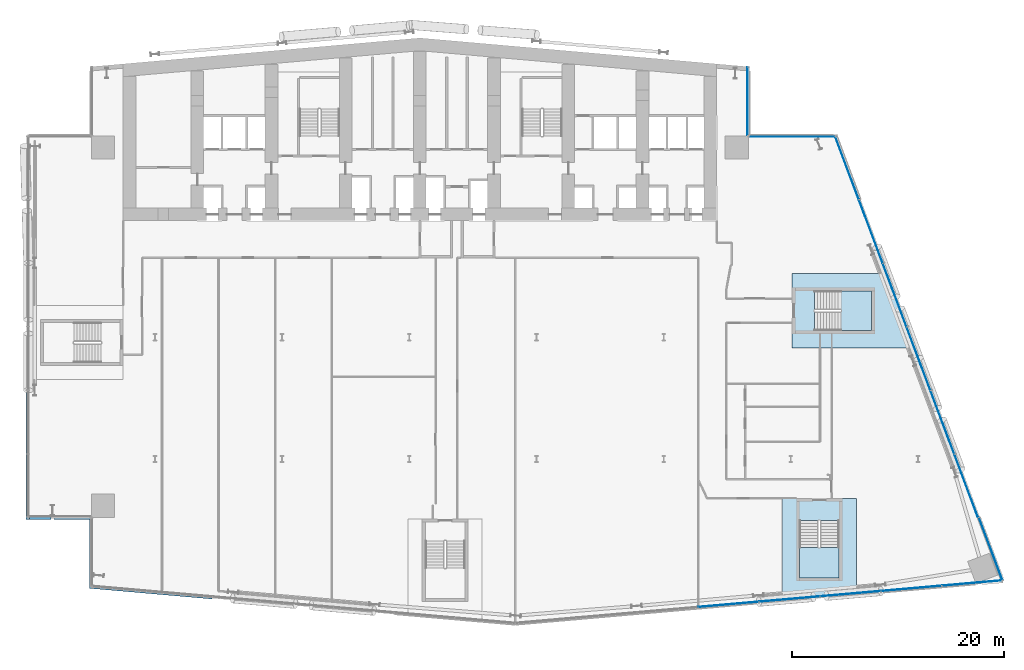
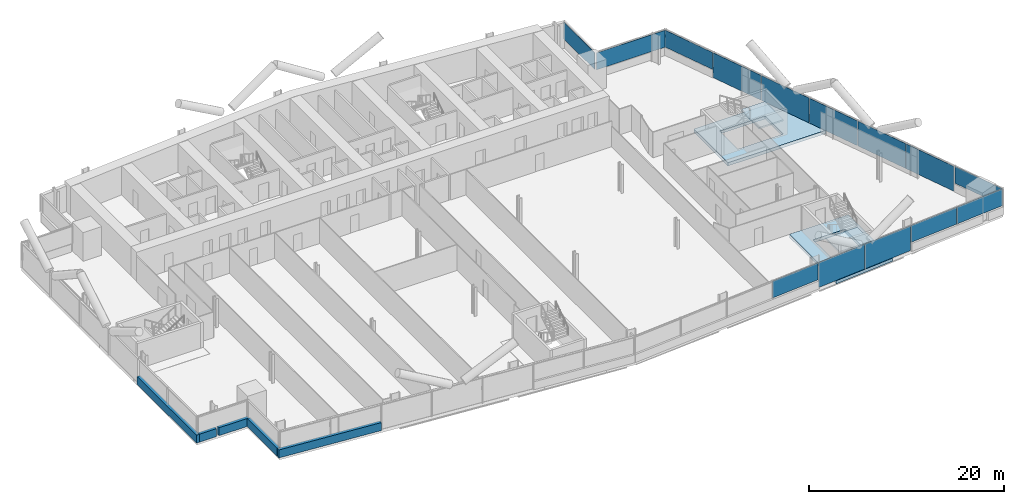
# One storey, part 12 of 25: 14 plates, 5 walls, 4 slabs, 6 elements without a shape of their own.
"""IFC4 building model written with IfcOpenShell, lengths in metres."""

import ifcopenshell
import ifcopenshell.guid

model = None  # the IFC model being written
_history = None  # IfcOwnerHistory: only IFC2X3 demands one
_inside = {}  # id of a spatial element -> (the spatial element, [elements in it])
_under = {}  # id of a project, library or spatial element -> (it, [spatial elements below it])
_declared = {}  # id of a project -> (the project, [libraries it declares])
_typed = {}  # id of a type object -> (the type object, [elements of that type])
_made_of = {}  # id of a material, layer set ... -> (it, [elements and type objects made of it])


def new_model(schema):
    """Start an empty IFC model of exactly this schema.

    Asked for "IFC4X3", IfcOpenShell would pick the latest addendum, in which some entities
    have other attributes; the version numbers below select the first issue.
    IFC2X3 requires an IfcOwnerHistory on every rooted entity: one is made here for all.
    """
    global model, _history
    if schema == "IFC4X3":
        model = ifcopenshell.file(schema_version=(4, 3, 0, 0))
    else:
        model = ifcopenshell.file(schema=schema)
    _inside.clear()
    _under.clear()
    _declared.clear()
    _typed.clear()
    _made_of.clear()
    _history = None
    if model.schema == "IFC2X3":
        org = make("IfcOrganization", Name="unknown")
        user = make(
            "IfcPersonAndOrganization",
            ThePerson=make("IfcPerson", FamilyName="unknown"),
            TheOrganization=org,
        )
        app = make(
            "IfcApplication",
            ApplicationDeveloper=org,
            Version="unknown",
            ApplicationFullName="unknown",
            ApplicationIdentifier="unknown",
        )
        _history = make(
            "IfcOwnerHistory",
            OwningUser=user,
            OwningApplication=app,
            ChangeAction="ADDED",
            CreationDate=0,
        )
    return model


def make(cls, **values):
    """One entity of the class cls with the attributes given. An attribute that is None is left unset."""
    return model.create_entity(
        cls, **{name: value for name, value in values.items() if value is not None}
    )


def rooted(cls, **values):
    """An entity with a GlobalId (a new one), such as an element, a storey or a relation."""
    return make(cls, GlobalId=ifcopenshell.guid.new(), OwnerHistory=_history, **values)


def si_unit(unit_type, name, prefix=None):
    """IfcSIUnit, for example si_unit("LENGTHUNIT", "METRE", prefix="MILLI")."""
    return make("IfcSIUnit", UnitType=unit_type, Prefix=prefix, Name=name)


def assignment(units):
    """IfcUnitAssignment: the units of a project."""
    return None if units is None else make("IfcUnitAssignment", Units=units)


def point(xyz):
    """IfcCartesianPoint."""
    return None if xyz is None else make("IfcCartesianPoint", Coordinates=xyz)


def direction(xyz):
    """IfcDirection."""
    return None if xyz is None else make("IfcDirection", DirectionRatios=xyz)


def frame(location, z_axis=None, x_axis=None):
    """IfcAxis2Placement3D, a coordinate frame: its origin and axes. An axis left out is left unset."""
    return make(
        "IfcAxis2Placement3D",
        Location=point(location),
        Axis=direction(z_axis),
        RefDirection=direction(x_axis),
    )


def frame_2d(location, x_axis=None):
    """IfcAxis2Placement2D, a coordinate frame in the plane: its origin and x axis."""
    return make(
        "IfcAxis2Placement2D", Location=point(location), RefDirection=direction(x_axis)
    )


def origin():
    """The frame at (0, 0, 0) with its axes left unset."""
    return frame((0.0, 0.0, 0.0))


def origin_2d():
    """The frame at (0, 0) in the plane with its x axis left unset."""
    return frame_2d((0.0, 0.0))


def place(relative_to, where):
    """IfcLocalPlacement: puts the frame where relative to a parent placement (None: the world)."""
    return make(
        "IfcLocalPlacement", PlacementRelTo=relative_to, RelativePlacement=where
    )


def context(
    kind, dimensions, precision=None, world=None, true_north=None, identifier=None
):
    """IfcGeometricRepresentationContext, for example the 3D "Model" context."""
    return make(
        "IfcGeometricRepresentationContext",
        ContextIdentifier=identifier,
        ContextType=kind,
        CoordinateSpaceDimension=dimensions,
        Precision=precision,
        WorldCoordinateSystem=world,
        TrueNorth=true_north,
    )


def subcontext(parent, identifier, kind, view, scale=None):
    """IfcGeometricRepresentationSubContext, for example "Body" below "Model"."""
    return make(
        "IfcGeometricRepresentationSubContext",
        ContextIdentifier=identifier,
        ContextType=kind,
        ParentContext=parent,
        TargetScale=scale,
        TargetView=view,
    )


def project(units=None, contexts=None):
    """IfcProject with its units and contexts."""
    return rooted(
        "IfcProject",
        Name="project",
        RepresentationContexts=contexts,
        UnitsInContext=assignment(units),
    )


def spatial(cls, under=None, at=None, **own):
    """A site, building, storey or space (cls), placed at a placement, below another one or the project."""
    s = rooted(cls, ObjectPlacement=at, **own)
    if under is not None:
        _under.setdefault(under.id(), (under, []))[1].append(s)
    return s


def polyline(points):
    """IfcPolyline through the points."""
    return make("IfcPolyline", Points=[point(p) for p in points])


def profile(cls, at=None, kind="AREA", **sizes):
    """A parametric profile (cls). Its sizes go by their IFC names, for example OverallWidth=200.0."""
    return make(cls, ProfileType=kind, Position=at, **sizes)


def rectangle(**sizes):
    """IfcRectangleProfileDef."""
    return profile("IfcRectangleProfileDef", **sizes)


def outline(outer, holes=None, kind="AREA"):
    """IfcArbitraryClosedProfileDef: a profile drawn as a closed curve; with holes, ...WithVoids."""
    if holes is None:
        return make("IfcArbitraryClosedProfileDef", ProfileType=kind, OuterCurve=outer)
    return make(
        "IfcArbitraryProfileDefWithVoids",
        ProfileType=kind,
        OuterCurve=outer,
        InnerCurves=holes,
    )


def extrude(swept, where, along, depth):
    """IfcExtrudedAreaSolid: the profile swept, set in the frame where, extruded along a direction by depth."""
    return make(
        "IfcExtrudedAreaSolid",
        SweptArea=swept,
        Position=where,
        ExtrudedDirection=direction(along),
        Depth=depth,
    )


def shape(context_of_items, identifier, shape_type, items):
    """IfcShapeRepresentation: the items that make up one representation, for example the "Body"."""
    return make(
        "IfcShapeRepresentation",
        ContextOfItems=context_of_items,
        RepresentationIdentifier=identifier,
        RepresentationType=shape_type,
        Items=items,
    )


def material(Name=None, Category=None):
    """IfcMaterial."""
    return make("IfcMaterial", Name=Name, Category=Category)


def layer(
    of_material, thickness, ventilated=None, Name=None, Category=None, Priority=None
):
    """IfcMaterialLayer: one layer of a wall or slab, of a material (None: an air gap)."""
    return make(
        "IfcMaterialLayer",
        Material=of_material,
        LayerThickness=thickness,
        IsVentilated=ventilated,
        Name=Name,
        Category=Category,
        Priority=Priority,
    )


def layer_set(layers, Name=None):
    """IfcMaterialLayerSet."""
    return make("IfcMaterialLayerSet", MaterialLayers=layers, LayerSetName=Name)


def made_of(thing, what):
    """Note that an element or type object is made of a material, layer set ...; save() writes the relation."""
    if what is not None:
        _made_of.setdefault(what.id(), (what, []))[1].append(thing)
    return thing


def type_object(cls, material=None, **own):
    """A type object (cls), such as IfcWallType, which elements share."""
    return made_of(rooted(cls, **own), material)


def element(
    cls,
    number,
    at=None,
    inside=None,
    cuts=None,
    type_object=None,
    material=None,
    context=None,
    identifier="Body",
    shape_type=None,
    held_by="IfcProductDefinitionShape",
    body=None,
    shapes=None,
    **own,
):
    """One element of the class cls, such as IfcWall. Its Tag is "e" and its number.

    at: its placement. inside: the storey or other place that contains it. cuts: it is an
    opening in that element (IfcRelVoidsElement). A single representation is given by context,
    identifier, shape_type and body (its items); several are given by shapes. held_by: the class
    of the entity that holds the representations. save() writes the other relations.
    """
    e = rooted(cls, Tag="e%d" % number, ObjectPlacement=at, **own)
    if body is not None:
        shapes = [shape(context, identifier, shape_type, body)]
    if shapes is not None:
        e.Representation = make(held_by, Representations=shapes)
    if inside is not None:
        _inside.setdefault(inside.id(), (inside, []))[1].append(e)
    if cuts is not None:
        rooted(
            "IfcRelVoidsElement", RelatingBuildingElement=cuts, RelatedOpeningElement=e
        )
    if type_object is not None:
        _typed.setdefault(type_object.id(), (type_object, []))[1].append(e)
    return made_of(e, material)


def aggregate(whole, parts):
    """IfcRelAggregates: a whole, such as a stair, and the parts it consists of."""
    return rooted("IfcRelAggregates", RelatingObject=whole, RelatedObjects=parts)


def save(model, path):
    """Write the relations noted so far, then the file.

    IfcRelAggregates (storeys below a building ...), IfcRelContainedInSpatialStructure (elements
    in a storey), IfcRelDefinesByType, IfcRelAssociatesMaterial and IfcRelDeclares: one each for
    every whole, place, type object, material and project.
    """
    for whole, parts in _under.values():
        aggregate(whole, parts)
    for where, things in _inside.values():
        rooted(
            "IfcRelContainedInSpatialStructure",
            RelatedElements=things,
            RelatingStructure=where,
        )
    for kind, things in _typed.values():
        rooted("IfcRelDefinesByType", RelatedObjects=things, RelatingType=kind)
    for what, things in _made_of.values():
        rooted("IfcRelAssociatesMaterial", RelatedObjects=things, RelatingMaterial=what)
    for by, libraries in _declared.values():
        rooted("IfcRelDeclares", RelatingContext=by, RelatedDefinitions=libraries)
    model.write(path)


model = new_model("IFC4")

# Units and contexts
model_context = context("Model", 3, precision=1e-05, world=origin(), true_north=direction((0.0, 1.0)))
body_context = subcontext(model_context, "Body", "Model", "MODEL_VIEW")
ifc_project = project(units=[si_unit("LENGTHUNIT", "METRE"), si_unit("AREAUNIT", "SQUARE_METRE"), si_unit("VOLUMEUNIT", "CUBIC_METRE"), si_unit("PLANEANGLEUNIT", "RADIAN"), si_unit("MASSUNIT", "GRAM", prefix="KILO")], contexts=[model_context])

# Site, building, storey
site_placement = place(None, origin())
site = spatial("IfcSite", under=ifc_project, at=site_placement, CompositionType="ELEMENT")
building_placement = place(site_placement, origin())
building = spatial("IfcBuilding", under=site, at=building_placement, Name="Wharfspan Tower", CompositionType="ELEMENT")
storey_placement = place(building_placement, frame((0.0, 0.0, 63.100098)))
storey = spatial("IfcBuildingStorey", under=building, at=storey_placement, Name="L12", CompositionType="ELEMENT", Elevation=63.100098)

# Curtain wall, plates
ifc_material_1 = material(Name="Aluminium 6063-T6", Category="aluminium")
curtain_wall_type_1 = type_object("IfcCurtainWallType", Name="CURTAIN WALL FACETED FRONT", PredefinedType="NOTDEFINED", material=ifc_material_1)
curtain_wall_1_placement = place(storey_placement, origin())
curtain_wall_1 = element("IfcCurtainWall", 1, at=curtain_wall_1_placement, inside=storey, type_object=curtain_wall_type_1, Name="Curtain wall S2", PredefinedType="NOTDEFINED")
ifc_material_2 = material(Name="Glass clear low-iron double glazing", Category="glass")
ifc_layer_1 = layer(ifc_material_2, 0.040039)
ifc_layer_set_1 = layer_set([ifc_layer_1], Name="Glass clear low-iron double glazing")
plate_type_1 = type_object("IfcPlateType", Name="GLASS PANEL FACETED FRONT 40", PredefinedType="CURTAIN_PANEL", material=ifc_layer_set_1)
plate_1_placement = place(storey_placement, frame((66.119873, -2.204102, 0.999756), z_axis=(0.0, 0.0, 1.0), x_axis=(0.996197, 0.087156, 0.0)))
plate_1 = element("IfcPlate", 2, at=plate_1_placement, type_object=plate_type_1, Name="Curtain wall S2 panel 4", PredefinedType="CURTAIN_PANEL", context=body_context, shape_type="SweptSolid", body=[
    extrude(rectangle(XDim=5.711914, YDim=0.040039, at=origin_2d()), origin(), (0.0, 0.0, 1.0), 2.120117),
])
plate_2_placement = place(storey_placement, frame((83.369873, -0.694824, 0.999756), z_axis=(0.0, 0.0, 1.0), x_axis=(0.996197, 0.087156, 0.0)))
plate_2 = element("IfcPlate", 3, at=plate_2_placement, type_object=plate_type_1, Name="Curtain wall S2 panel 7", PredefinedType="CURTAIN_PANEL", context=body_context, shape_type="SweptSolid", body=[
    extrude(rectangle(XDim=5.711914, YDim=0.040039, at=origin_2d()), origin(), (0.0, 0.0, 1.0), 2.120117),
])
plate_3_placement = place(storey_placement, frame((89.104736, -0.193115, 0.999756), z_axis=(0.0, 0.0, 1.0), x_axis=(0.996197, 0.087156, 0.0)))
plate_3 = element("IfcPlate", 4, at=plate_3_placement, type_object=plate_type_1, Name="Curtain wall S2 panel 8", PredefinedType="CURTAIN_PANEL", context=body_context, shape_type="SweptSolid", body=[
    extrude(rectangle(XDim=5.681885, YDim=0.040039, at=origin_2d()), origin(), (0.0, 0.0, 1.0), 2.120117),
])

curtain_wall_type_2 = type_object("IfcCurtainWallType", Name="CURTAIN WALL PROW AND END", PredefinedType="NOTDEFINED", material=ifc_material_1)
curtain_wall_2_placement = place(storey_placement, origin())
curtain_wall_2 = element("IfcCurtainWall", 5, at=curtain_wall_2_placement, inside=storey, type_object=curtain_wall_type_2, Name="Curtain wall E", PredefinedType="NOTDEFINED")
ifc_layer_2 = layer(ifc_material_2, 0.040039)
ifc_layer_set_2 = layer_set([ifc_layer_2], Name="Glass clear low-iron double glazing")
plate_type_2 = type_object("IfcPlateType", Name="GLASS PANEL PROW AND END 40", PredefinedType="CURTAIN_PANEL", material=ifc_layer_set_2)
plate_4_placement = place(storey_placement, frame((90.869629, 3.01416, 0.999756), z_axis=(0.0, 0.0, 1.0), x_axis=(-0.351123, 0.936328, 0.0)))
plate_4 = element("IfcPlate", 6, at=plate_4_placement, type_object=plate_type_2, Name="Curtain wall E panel 1", PredefinedType="CURTAIN_PANEL", context=body_context, shape_type="SweptSolid", body=[
    extrude(rectangle(XDim=6.318115, YDim=0.040039, at=origin_2d()), origin(), (0.0, 0.0, 1.0), 2.120117),
])
plate_5_placement = place(storey_placement, frame((77.30542, 38.957764, 0.999756), z_axis=(0.0, 0.0, 1.0), x_axis=(-0.351123, 0.936328, 0.0)))
plate_5 = element("IfcPlate", 7, at=plate_5_placement, type_object=plate_type_2, Name="Curtain wall E panel 7", PredefinedType="CURTAIN_PANEL", context=body_context, shape_type="SweptSolid", body=[
    extrude(rectangle(XDim=6.318115, YDim=0.040039, at=origin_2d()), origin(), (0.0, 0.0, 1.0), 2.120117),
])

# Curtain wall, plate
curtain_wall_3_placement = place(storey_placement, origin())
curtain_wall_3 = element("IfcCurtainWall", 8, at=curtain_wall_3_placement, inside=storey, type_object=curtain_wall_type_2, Name="Curtain wall NRE-H", PredefinedType="NOTDEFINED")
plate_6_placement = place(storey_placement, frame((72.125, 41.919922, 0.999756), z_axis=(0.0, 0.0, 1.0), x_axis=(-1.0, 0.0, 0.0)))
plate_6 = element("IfcPlate", 9, at=plate_6_placement, type_object=plate_type_2, Name="Curtain wall NRE-H panel 1", PredefinedType="CURTAIN_PANEL", context=body_context, shape_type="SweptSolid", body=[
    extrude(rectangle(XDim=8.129883, YDim=0.040039, at=origin_2d()), origin(), (0.0, 0.0, 1.0), 2.120117),
])
aggregate(curtain_wall_3, [plate_6])

curtain_wall_4_placement = place(storey_placement, origin())
curtain_wall_4 = element("IfcCurtainWall", 10, at=curtain_wall_4_placement, inside=storey, type_object=curtain_wall_type_2, Name="Curtain wall NRE-V", PredefinedType="NOTDEFINED")
plate_7_placement = place(storey_placement, frame((67.919922, 45.262451, 0.999756), z_axis=(0.0, 0.0, 1.0), x_axis=(0.0, 1.0, 0.0)))
plate_7 = element("IfcPlate", 11, at=plate_7_placement, type_object=plate_type_2, Name="Curtain wall NRE-V panel 1", PredefinedType="CURTAIN_PANEL", context=body_context, shape_type="SweptSolid", body=[
    extrude(rectangle(XDim=6.405029, YDim=0.040039, at=origin_2d()), origin(), (0.0, 0.0, 1.0), 2.120117),
])
aggregate(curtain_wall_4, [plate_7])

# Plate
ifc_material_3 = material(Name="Aluminium composite opaque insulated panel", Category="aluminium")
ifc_layer_3 = layer(ifc_material_3, 0.040039)
ifc_layer_set_3 = layer_set([ifc_layer_3], Name="Aluminium composite opaque insulated panel")
plate_type_3 = type_object("IfcPlateType", Name="INFILL PANEL FACETED FRONT OPAQUE 40", PredefinedType="SHEET", material=ifc_layer_set_3)
plate_8_placement = place(storey_placement, frame((71.869873, -1.700928, -0.000244), z_axis=(0.0, 0.0, 1.0), x_axis=(0.996197, 0.087156, 0.0)))
plate_8 = element("IfcPlate", 12, at=plate_8_placement, type_object=plate_type_3, Name="Curtain wall S2 panel 5", PredefinedType="SHEET", context=body_context, shape_type="SweptSolid", body=[
    extrude(rectangle(XDim=5.711914, YDim=0.040039, at=origin_2d()), origin(), (0.0, 0.0, 1.0), 3.120117),
])

plate_9_placement = place(storey_placement, frame((77.619873, -1.197998, -0.000244), z_axis=(0.0, 0.0, 1.0), x_axis=(0.996197, 0.087156, 0.0)))
plate_9 = element("IfcPlate", 13, at=plate_9_placement, type_object=plate_type_3, Name="Curtain wall S2 panel 6", PredefinedType="SHEET", context=body_context, shape_type="SweptSolid", body=[
    extrude(rectangle(XDim=5.711914, YDim=0.040039, at=origin_2d()), origin(), (0.0, 0.0, 1.0), 3.120117),
])

aggregate(curtain_wall_1, [plate_1, plate_8, plate_9, plate_2, plate_3])

ifc_layer_4 = layer(ifc_material_3, 0.040039)
ifc_layer_set_4 = layer_set([ifc_layer_4], Name="Aluminium composite opaque insulated panel")
plate_type_4 = type_object("IfcPlateType", Name="INFILL PANEL PROW AND END OPAQUE 40", PredefinedType="SHEET", material=ifc_layer_set_4)
plate_10_placement = place(storey_placement, frame((88.550049, 8.971924, -0.000244), z_axis=(0.0, 0.0, 1.0), x_axis=(-0.351123, 0.936328, 0.0)))
plate_10 = element("IfcPlate", 14, at=plate_10_placement, type_object=plate_type_4, Name="Curtain wall E panel 2", PredefinedType="SHEET", context=body_context, shape_type="SweptSolid", body=[
    extrude(rectangle(XDim=6.3479, YDim=0.040039, at=origin_2d()), origin(), (0.0, 0.0, 1.0), 3.120117),
])

plate_11_placement = place(storey_placement, frame((86.300049, 14.971924, -0.000244), z_axis=(0.0, 0.0, 1.0), x_axis=(-0.351123, 0.936328, 0.0)))
plate_11 = element("IfcPlate", 15, at=plate_11_placement, type_object=plate_type_4, Name="Curtain wall E panel 3", PredefinedType="SHEET", context=body_context, shape_type="SweptSolid", body=[
    extrude(rectangle(XDim=6.3479, YDim=0.040039, at=origin_2d()), origin(), (0.0, 0.0, 1.0), 3.120117),
])

plate_12_placement = place(storey_placement, frame((84.050049, 20.971924, -0.000244), z_axis=(0.0, 0.0, 1.0), x_axis=(-0.351123, 0.936328, 0.0)))
plate_12 = element("IfcPlate", 16, at=plate_12_placement, type_object=plate_type_4, Name="Curtain wall E panel 4", PredefinedType="SHEET", context=body_context, shape_type="SweptSolid", body=[
    extrude(rectangle(XDim=6.3479, YDim=0.040039, at=origin_2d()), origin(), (0.0, 0.0, 1.0), 3.120117),
])

plate_13_placement = place(storey_placement, frame((81.800049, 26.971924, -0.000244), z_axis=(0.0, 0.0, 1.0), x_axis=(-0.351123, 0.936328, 0.0)))
plate_13 = element("IfcPlate", 17, at=plate_13_placement, type_object=plate_type_4, Name="Curtain wall E panel 5", PredefinedType="SHEET", context=body_context, shape_type="SweptSolid", body=[
    extrude(rectangle(XDim=6.3479, YDim=0.040039, at=origin_2d()), origin(), (0.0, 0.0, 1.0), 3.120117),
])

plate_14_placement = place(storey_placement, frame((79.550049, 32.971924, -0.000244), z_axis=(0.0, 0.0, 1.0), x_axis=(-0.351123, 0.936328, 0.0)))
plate_14 = element("IfcPlate", 18, at=plate_14_placement, type_object=plate_type_4, Name="Curtain wall E panel 6", PredefinedType="SHEET", context=body_context, shape_type="SweptSolid", body=[
    extrude(rectangle(XDim=6.3479, YDim=0.040039, at=origin_2d()), origin(), (0.0, 0.0, 1.0), 3.120117),
])

aggregate(curtain_wall_2, [plate_4, plate_10, plate_11, plate_12, plate_13, plate_14, plate_5])

# Slabs
ifc_material_4 = material(Name="Concrete C40/50", Category="concrete")
ifc_layer_5 = layer(ifc_material_4, 0.399902)
ifc_layer_set_5 = layer_set([ifc_layer_5], Name="Concrete C40/50")
slab_type_1 = type_object("IfcSlabType", Name="Post-tensioned flat slab 400", PredefinedType="FLOOR", material=ifc_layer_set_5)
slab_1_placement = place(storey_placement, frame((0.0, 0.0, -0.400146)))
element("IfcSlab", 19, at=slab_1_placement, inside=storey, type_object=slab_type_1, Name="Core floor slab L12 part 5", PredefinedType="FLOOR", context=body_context, shape_type="SweptSolid", body=[
    extrude(outline(polyline([(78.192383, 7.791992), (76.867432, 7.791992), (72.517578, 7.791992), (71.192383, 7.791992), (71.192383, -1.820312), (78.192383, -1.208008), (78.192383, 7.791992)]), holes=[polyline([(76.567383, 5.694092), (76.567627, 5.694092), (76.567871, 5.694092), (76.568115, 5.693848), (76.568115, 5.693848), (76.568359, 5.693848), (76.568604, 5.693604), (76.568604, 5.693604), (76.568848, 5.693359), (76.569092, 5.693359), (76.569092, 5.693115), (76.569092, 5.692871), (76.569336, 5.692871), (76.569336, 5.692627), (76.569336, 5.692383), (76.56958, 5.692139), (76.56958, 5.691895), (76.56958, 0.291992), (76.56958, 0.291748), (76.569336, 0.291504), (76.569336, 0.291504), (76.569336, 0.29126), (76.569092, 0.291016), (76.569092, 0.291016), (76.569092, 0.290771), (76.568848, 0.290527), (76.568604, 0.290527), (76.568604, 0.290283), (76.568359, 0.290283), (76.568115, 0.290283), (76.568115, 0.290039), (76.567871, 0.290039), (76.567627, 0.290039), (76.567383, 0.290039), (72.817383, 0.290039), (72.817383, 0.290039), (72.817139, 0.290039), (72.816895, 0.290039), (72.81665, 0.290283), (72.816406, 0.290283), (72.816406, 0.290283), (72.816162, 0.290527), (72.816162, 0.290527), (72.815918, 0.290771), (72.815918, 0.291016), (72.815674, 0.291016), (72.815674, 0.29126), (72.815674, 0.291504), (72.81543, 0.291504), (72.81543, 0.291748), (72.81543, 0.291992), (72.81543, 5.691895), (72.81543, 5.692139), (72.81543, 5.692383), (72.815674, 5.692627), (72.815674, 5.692871), (72.815674, 5.692871), (72.815918, 5.693115), (72.815918, 5.693359), (72.816162, 5.693359), (72.816162, 5.693604), (72.816406, 5.693604), (72.816406, 5.693848), (72.81665, 5.693848), (72.816895, 5.693848), (72.817139, 5.694092), (72.817383, 5.694092), (72.817383, 5.694092), (76.567383, 5.694092)])]), origin(), (0.0, 0.0, 1.0), 0.400146),
])
slab_2_placement = place(storey_placement, frame((0.0, 0.0, -0.400146)))
element("IfcSlab", 20, at=slab_2_placement, inside=storey, type_object=slab_type_1, Name="Core floor slab L12 part 6", PredefinedType="FLOOR", context=body_context, shape_type="SweptSolid", body=[
    extrude(outline(polyline([(81.125, 29.0), (72.125, 29.0), (72.125, 27.675049), (72.125, 23.324951), (72.125, 22.0), (83.75, 22.0), (81.125, 29.0)]), holes=[polyline([(74.2229, 27.375), (74.2229, 27.375244), (74.2229, 27.375488), (74.223145, 27.375488), (74.223145, 27.375732), (74.223145, 27.375977), (74.223389, 27.376221), (74.223389, 27.376221), (74.223633, 27.376465), (74.223633, 27.376465), (74.223877, 27.376709), (74.224121, 27.376709), (74.224121, 27.376709), (74.224365, 27.376953), (74.224609, 27.376953), (74.224854, 27.376953), (74.225098, 27.376953), (79.625, 27.376953), (79.625244, 27.376953), (79.625488, 27.376953), (79.625488, 27.376953), (79.625732, 27.376709), (79.625977, 27.376709), (79.626221, 27.376709), (79.626221, 27.376465), (79.626465, 27.376465), (79.626465, 27.376221), (79.626709, 27.376221), (79.626709, 27.375977), (79.626709, 27.375732), (79.626953, 27.375488), (79.626953, 27.375488), (79.626953, 27.375244), (79.626953, 27.375), (79.626953, 23.625), (79.626953, 23.624756), (79.626953, 23.624512), (79.626953, 23.624512), (79.626709, 23.624268), (79.626709, 23.624023), (79.626709, 23.623779), (79.626465, 23.623779), (79.626465, 23.623535), (79.626221, 23.623535), (79.626221, 23.623291), (79.625977, 23.623291), (79.625732, 23.623291), (79.625488, 23.623047), (79.625488, 23.623047), (79.625244, 23.623047), (79.625, 23.623047), (74.225098, 23.623047), (74.224854, 23.623047), (74.224609, 23.623047), (74.224365, 23.623047), (74.224121, 23.623291), (74.224121, 23.623291), (74.223877, 23.623291), (74.223633, 23.623535), (74.223633, 23.623535), (74.223389, 23.623779), (74.223389, 23.623779), (74.223145, 23.624023), (74.223145, 23.624268), (74.223145, 23.624512), (74.2229, 23.624512), (74.2229, 23.624756), (74.2229, 23.625), (74.2229, 27.375)])]), origin(), (0.0, 0.0, 1.0), 0.400146),
])

# Stair, slab
stair_type = type_object("IfcStairType", Name="Half-turn stair 20 risers 180 mm", PredefinedType="HALF_TURN_STAIR", material=ifc_material_4)
stair_1_placement = place(storey_placement, origin())
stair_1 = element("IfcStair", 21, at=stair_1_placement, inside=storey, type_object=stair_type, Name="L12 stair ST5", PredefinedType="HALF_TURN_STAIR")
ifc_layer_6 = layer(ifc_material_4, 0.199951)
ifc_layer_set_6 = layer_set([ifc_layer_6], Name="Concrete C40/50")
slab_type_2 = type_object("IfcSlabType", Name="Stair landing 200", PredefinedType="LANDING", material=ifc_layer_set_6)
slab_3_placement = place(storey_placement, frame((0.0, 0.0, 1.599609)))
slab_3 = element("IfcSlab", 22, at=slab_3_placement, type_object=slab_type_2, Name="ST5 landing 1", PredefinedType="LANDING", context=body_context, shape_type="SweptSolid", body=[
    extrude(outline(polyline([(72.817383, 3.172119), (72.817383, 0.291992), (76.567383, 0.291992), (76.567383, 3.172119), (72.817383, 3.172119)])), origin(), (0.0, 0.0, 1.0), 0.200195),
])
aggregate(stair_1, [slab_3])

stair_2_placement = place(storey_placement, origin())
stair_2 = element("IfcStair", 23, at=stair_2_placement, inside=storey, type_object=stair_type, Name="L12 stair ST6", PredefinedType="HALF_TURN_STAIR")
slab_4_placement = place(storey_placement, frame((0.0, 0.0, 1.599609)))
slab_4 = element("IfcSlab", 24, at=slab_4_placement, type_object=slab_type_2, Name="ST6 landing 1", PredefinedType="LANDING", context=body_context, shape_type="SweptSolid", body=[
    extrude(outline(polyline([(76.745117, 23.625), (79.625, 23.625), (79.625, 27.375), (76.745117, 27.375), (76.745117, 23.625)])), origin(), (0.0, 0.0, 1.0), 0.200195),
])
aggregate(stair_2, [slab_4])

# Walls
ifc_layer_7 = layer(ifc_material_4, 0.350098)
ifc_layer_set_7 = layer_set([ifc_layer_7], Name="Concrete C40/50")
wall_type = type_object("IfcWallType", Name="SPANDREL EXPOSED CONCRETE 350", PredefinedType="SOLIDWALL", material=ifc_layer_set_7)
wall_1_placement = place(storey_placement, frame((5.835205, -0.515625, 0.0), z_axis=(0.0, 0.0, 1.0), x_axis=(0.996192, -0.087142, 0.0)))
element("IfcWall", 25, at=wall_1_placement, inside=storey, type_object=wall_type, Name="Spandrel upstand L12 S1 1", PredefinedType="SOLIDWALL", context=body_context, shape_type="SweptSolid", body=[
    extrude(rectangle(XDim=11.607178, YDim=0.350098, at=frame_2d((5.803711, 0.0))), origin(), (0.0, 0.0, 1.0), 1.0),
])
wall_2_placement = place(storey_placement, frame((-0.004883, 17.969971, 0.0), z_axis=(0.0, 0.0, 1.0), x_axis=(0.0, -1.0, 0.0)))
element("IfcWall", 26, at=wall_2_placement, inside=storey, type_object=wall_type, Name="Spandrel upstand L12 W", PredefinedType="SOLIDWALL", context=body_context, shape_type="SweptSolid", body=[
    extrude(rectangle(XDim=12.149902, YDim=0.350098, at=frame_2d((6.074951, 0.0))), origin(), (0.0, 0.0, 1.0), 1.0),
])
wall_3_placement = place(storey_placement, frame((0.169922, 5.995117, 0.0), z_axis=(0.0, 0.0, 1.0), x_axis=(1.0, 0.0, 0.0)))
element("IfcWall", 27, at=wall_3_placement, inside=storey, type_object=wall_type, Name="Spandrel upstand L12 NFW-H", PredefinedType="SOLIDWALL", context=body_context, shape_type="SweptSolid", body=[
    extrude(rectangle(XDim=2.010742, YDim=0.350098, at=frame_2d((1.005371, 0.0))), origin(), (0.0, 0.0, 1.0), 1.0),
])
wall_4_placement = place(storey_placement, frame((2.482666, 5.995117, 0.0), z_axis=(0.0, 0.0, 1.0), x_axis=(1.0, 0.0, 0.0)))
element("IfcWall", 28, at=wall_4_placement, inside=storey, type_object=wall_type, Name="Spandrel upstand L12 NFW-H 2", PredefinedType="SOLIDWALL", context=body_context, shape_type="SweptSolid", body=[
    extrude(rectangle(XDim=3.517334, YDim=0.350098, at=frame_2d((1.758789, 0.0))), origin(), (0.0, 0.0, 1.0), 1.0),
])
wall_5_placement = place(storey_placement, frame((5.995117, 5.820068, 0.0), z_axis=(0.0, 0.0, 1.0), x_axis=(0.0, -1.0, 0.0)))
element("IfcWall", 29, at=wall_5_placement, inside=storey, type_object=wall_type, Name="Spandrel upstand L12 NFW-V", PredefinedType="SOLIDWALL", context=body_context, shape_type="SweptSolid", body=[
    extrude(rectangle(XDim=6.161377, YDim=0.350098, at=frame_2d((3.080566, 0.0))), origin(), (0.0, 0.0, 1.0), 1.0),
])

save(model, "model.ifc")
